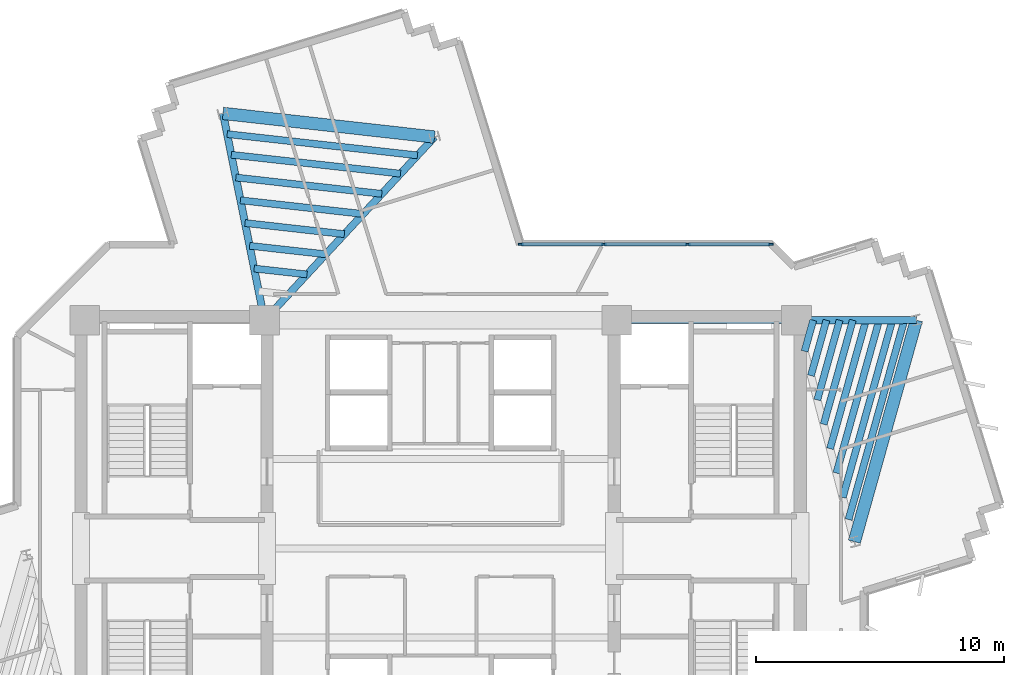
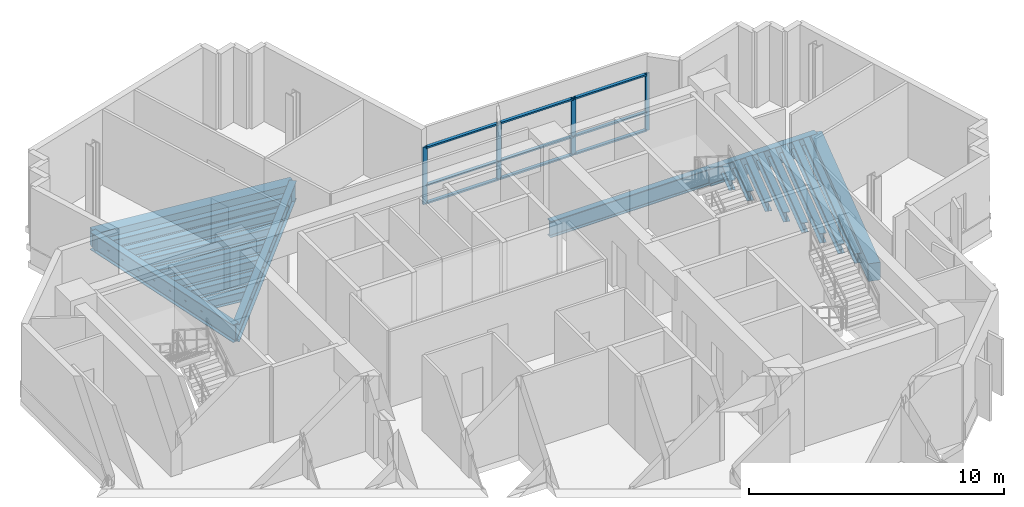
# One storey, part 3 of 13: 21 beams, 13 members, 1 element without a shape of its own.
"""IFC4 building model written with IfcOpenShell, lengths in metres."""

from ifc_helpers import new_model, si_unit, direction, frame, origin, origin_2d, place, context, subcontext, project, spatial, rectangle, i_section, extrude, source, transform, mapped, material, layer, layer_set, material_profile, profile_set, type_object, element, aggregate, save


model = new_model("IFC4")

# Units and contexts
model_context = context("Model", 3, precision=1e-05, world=origin(), true_north=direction((0.0, 1.0)))
body_context = subcontext(model_context, "Body", "Model", "MODEL_VIEW")
ifc_project = project(units=[si_unit("LENGTHUNIT", "METRE"), si_unit("AREAUNIT", "SQUARE_METRE"), si_unit("VOLUMEUNIT", "CUBIC_METRE"), si_unit("PLANEANGLEUNIT", "RADIAN"), si_unit("MASSUNIT", "GRAM", prefix="KILO")], contexts=[model_context])

# Site, building, storey
site_placement = place(None, origin())
site = spatial("IfcSite", under=ifc_project, at=site_placement, CompositionType="ELEMENT")
building_placement = place(site_placement, origin())
building = spatial("IfcBuilding", under=site, at=building_placement, Name="Zahravan Cultural Tower", CompositionType="ELEMENT")
storey_placement = place(building_placement, frame((0.0, 0.0, 217.5)))
storey = spatial("IfcBuildingStorey", under=building, at=storey_placement, Name="L51", CompositionType="ELEMENT", Elevation=217.5)

# Beams
ifc_material_1 = material(Name="Steel ASTM A992 Grade 50", Category="steel")
ifc_material_profile_1 = material_profile(ifc_material_1, i_section(OverallWidth=0.26611328125, OverallDepth=0.780029296875, WebThickness=0.0166015625, FlangeThickness=0.030029296875, FilletRadius=0.01904296875, at=origin_2d()), Name="W30X148")
ifc_profile_set_1 = profile_set([ifc_material_profile_1], Name="Steel ASTM A992 Grade 50")
beam_type_1 = type_object("IfcBeamType", Name="BM-G-W30X148", PredefinedType="BEAM", material=ifc_profile_set_1)
shared_shape_1 = source(origin(), body_context, "Body", "SweptSolid", [
    extrude(i_section(OverallWidth=0.26611328125, OverallDepth=0.780029296875, WebThickness=0.0166015625, FlangeThickness=0.030029296875, FilletRadius=0.01904296875, at=origin_2d()), origin(), (0.0, 0.0, 1.0), 7.25),
])
beam_1_placement = place(storey_placement, frame((43.10009765625, 36.199951171875, -0.669921875), z_axis=(1.0, 0.0, 0.0), x_axis=(0.0, 1.0, 0.0)))
element("IfcBeam", 1, at=beam_1_placement, inside=storey, type_object=beam_type_1, Name="L51 Beam BG-L51-05", PredefinedType="BEAM", context=body_context, shape_type="MappedRepresentation", body=[
    mapped(shared_shape_1, transform((0.0, 0.0, 0.0), x_axis=(1.0, 0.0, 0.0), y_axis=(0.0, 1.0, 0.0), z_axis=(0.0, 0.0, 1.0), scale=1.0)),
])
ifc_material_2 = material(Name="Concrete C50/60", Category="concrete")
ifc_material_profile_2 = material_profile(ifc_material_2, rectangle(XDim=0.5, YDim=0.85009765625, at=origin_2d()), Name="RC500X850")
ifc_profile_set_2 = profile_set([ifc_material_profile_2], Name="Concrete C50/60")
beam_type_2 = type_object("IfcBeamType", Name="BM-SP-RC500X850", PredefinedType="SPANDREL", material=ifc_profile_set_2)
shared_shape_2 = source(origin(), body_context, "Body", "SweptSolid", [
    extrude(rectangle(XDim=0.5, YDim=0.85009765625, at=origin_2d()), origin(), (0.0, 0.0, 1.0), 9.2783203125),
])
beam_2_placement = place(storey_placement, frame((52.684326171875, 27.27099609375, -0.705078125), z_axis=(0.269497187032, 0.963001176625, 0.0), x_axis=(-0.963001176625, 0.269497187032, 0.0)))
element("IfcBeam", 2, at=beam_2_placement, inside=storey, type_object=beam_type_2, Name="L51 Beam SP-L51-17", PredefinedType="SPANDREL", context=body_context, shape_type="MappedRepresentation", body=[
    mapped(shared_shape_2, transform((0.0, 0.0, 0.0), x_axis=(1.0, 0.0, 0.0), y_axis=(0.0, 1.0, 0.0), z_axis=(0.0, 0.0, 1.0), scale=1.0)),
])
shared_shape_3 = source(origin(), body_context, "Body", "SweptSolid", [
    extrude(rectangle(XDim=0.5, YDim=0.85009765625, at=origin_2d()), origin(), (0.0, 0.0, 1.0), 8.579833984375),
])
beam_3_placement = place(storey_placement, frame((35.754638671875, 43.587646484375, -0.705078125), z_axis=(-0.9938040105, 0.11114669907, 0.0), x_axis=(-0.11114669907, -0.9938040105, 0.0)))
element("IfcBeam", 3, at=beam_3_placement, inside=storey, type_object=beam_type_2, Name="L51 Beam SP-L51-18", PredefinedType="SPANDREL", context=body_context, shape_type="MappedRepresentation", body=[
    mapped(shared_shape_3, transform((0.0, 0.0, 0.0), x_axis=(1.0, 0.0, 0.0), y_axis=(0.0, 1.0, 0.0), z_axis=(0.0, 0.0, 1.0), scale=1.0)),
])
ifc_material_profile_3 = material_profile(ifc_material_1, i_section(OverallWidth=0.29296875, OverallDepth=0.845947265625, WebThickness=0.015380859375, FlangeThickness=0.0244140625, FilletRadius=0.02001953125, at=origin_2d()), Name="W33X141")
ifc_profile_set_3 = profile_set([ifc_material_profile_3], Name="Steel ASTM A992 Grade 50")
beam_type_3 = type_object("IfcBeamType", Name="BM-G-W33X141", PredefinedType="BEAM", material=ifc_profile_set_3)
shared_shape_4 = source(origin(), body_context, "Body", "SweptSolid", [
    extrude(i_section(OverallWidth=0.29296875, OverallDepth=0.845947265625, WebThickness=0.015380859375, FlangeThickness=0.0244140625, FilletRadius=0.02001953125, at=origin_2d()), origin(), (0.0, 0.0, 1.0), 4.834716796875),
])
beam_4_placement = place(storey_placement, frame((50.35009765625, 36.199951171875, -0.702880859375), z_axis=(0.99999920313, 0.001262433979, 0.0), x_axis=(-0.001262433979, 0.99999920313, 0.0)))
element("IfcBeam", 4, at=beam_4_placement, inside=storey, type_object=beam_type_3, Name="L51 Beam BG-L51-12", PredefinedType="BEAM", context=body_context, shape_type="MappedRepresentation", body=[
    mapped(shared_shape_4, transform((0.0, 0.0, 0.0), x_axis=(1.0, 0.0, 0.0), y_axis=(0.0, 1.0, 0.0), z_axis=(0.0, 0.0, 1.0), scale=1.0)),
])
shared_shape_5 = source(origin(), body_context, "Body", "SweptSolid", [
    extrude(i_section(OverallWidth=0.29296875, OverallDepth=0.845947265625, WebThickness=0.015380859375, FlangeThickness=0.0244140625, FilletRadius=0.02001953125, at=origin_2d()), origin(), (0.0, 0.0, 1.0), 10.077880859375),
])
beam_5_placement = place(storey_placement, frame((28.89990234375, 36.199951171875, -0.702880859375), z_axis=(0.680170435587, 0.733054007938, 0.0), x_axis=(-0.733054007938, 0.680170435587, 0.0)))
element("IfcBeam", 5, at=beam_5_placement, inside=storey, type_object=beam_type_3, Name="L51 Beam BG-L51-13", PredefinedType="BEAM", context=body_context, shape_type="MappedRepresentation", body=[
    mapped(shared_shape_5, transform((0.0, 0.0, 0.0), x_axis=(1.0, 0.0, 0.0), y_axis=(0.0, 1.0, 0.0), z_axis=(0.0, 0.0, 1.0), scale=1.0)),
])
shared_shape_6 = source(origin(), body_context, "Body", "SweptSolid", [
    extrude(i_section(OverallWidth=0.29296875, OverallDepth=0.845947265625, WebThickness=0.015380859375, FlangeThickness=0.0244140625, FilletRadius=0.02001953125, at=origin_2d()), origin(), (0.0, 0.0, 1.0), 8.50732421875),
])
beam_6_placement = place(storey_placement, frame((28.89990234375, 36.199951171875, -0.702880859375), z_axis=(-0.196524514012, 0.980498911469, 0.0), x_axis=(-0.980498911469, -0.196524514012, 0.0)))
element("IfcBeam", 6, at=beam_6_placement, inside=storey, type_object=beam_type_3, Name="L51 Beam BG-L51-14", PredefinedType="BEAM", context=body_context, shape_type="MappedRepresentation", body=[
    mapped(shared_shape_6, transform((0.0, 0.0, 0.0), x_axis=(1.0, 0.0, 0.0), y_axis=(0.0, 1.0, 0.0), z_axis=(0.0, 0.0, 1.0), scale=1.0)),
])
ifc_material_profile_4 = material_profile(ifc_material_1, i_section(OverallWidth=0.280029296875, OverallDepth=0.462890625, WebThickness=0.0107421875, FlangeThickness=0.017333984375, FilletRadius=0.012939453125, at=origin_2d()), Name="W18X76")
ifc_profile_set_4 = profile_set([ifc_material_profile_4], Name="Steel ASTM A992 Grade 50")
beam_type_4 = type_object("IfcBeamType", Name="BM-J-W18X76", PredefinedType="JOIST", material=ifc_profile_set_4)
shared_shape_7 = source(origin(), body_context, "Body", "SweptSolid", [
    extrude(i_section(OverallWidth=0.280029296875, OverallDepth=0.462890625, WebThickness=0.0107421875, FlangeThickness=0.017333984375, FilletRadius=0.012939453125, at=origin_2d()), origin(), (0.0, 0.0, 1.0), 1.299072265625),
])
beam_7_placement = place(storey_placement, frame((50.6767578125, 34.949951171875, -0.511474609375), z_axis=(0.269504444708, 0.962999145525, 0.0), x_axis=(-0.962999145525, 0.269504444708, 0.0)))
element("IfcBeam", 7, at=beam_7_placement, inside=storey, type_object=beam_type_4, Name="L51 Beam BJ-L51-38", PredefinedType="JOIST", context=body_context, shape_type="MappedRepresentation", body=[
    mapped(shared_shape_7, transform((0.0, 0.0, 0.0), x_axis=(1.0, 0.0, 0.0), y_axis=(0.0, 1.0, 0.0), z_axis=(0.0, 0.0, 1.0), scale=1.0)),
])
shared_shape_8 = source(origin(), body_context, "Body", "SweptSolid", [
    extrude(i_section(OverallWidth=0.280029296875, OverallDepth=0.462890625, WebThickness=0.0107421875, FlangeThickness=0.017333984375, FilletRadius=0.012939453125, at=origin_2d()), origin(), (0.0, 0.0, 1.0), 2.3193359375),
])
beam_8_placement = place(storey_placement, frame((50.93359375, 33.9677734375, -0.511474609375), z_axis=(0.269462038626, 0.963011012263, 0.0), x_axis=(-0.963011012263, 0.269462038626, 0.0)))
element("IfcBeam", 8, at=beam_8_placement, inside=storey, type_object=beam_type_4, Name="L51 Beam BJ-L51-39", PredefinedType="JOIST", context=body_context, shape_type="MappedRepresentation", body=[
    mapped(shared_shape_8, transform((0.0, 0.0, 0.0), x_axis=(1.0, 0.0, 0.0), y_axis=(0.0, 1.0, 0.0), z_axis=(0.0, 0.0, 1.0), scale=1.0)),
])
shared_shape_9 = source(origin(), body_context, "Body", "SweptSolid", [
    extrude(i_section(OverallWidth=0.280029296875, OverallDepth=0.462890625, WebThickness=0.0107421875, FlangeThickness=0.017333984375, FilletRadius=0.012939453125, at=origin_2d()), origin(), (0.0, 0.0, 1.0), 3.340087890625),
])
beam_9_placement = place(storey_placement, frame((51.190185546875, 32.985595703125, -0.511474609375), z_axis=(0.269562146951, 0.962982995141, 0.0), x_axis=(-0.962982995141, 0.269562146951, 0.0)))
element("IfcBeam", 9, at=beam_9_placement, inside=storey, type_object=beam_type_4, Name="L51 Beam BJ-L51-40", PredefinedType="JOIST", context=body_context, shape_type="MappedRepresentation", body=[
    mapped(shared_shape_9, transform((0.0, 0.0, 0.0), x_axis=(1.0, 0.0, 0.0), y_axis=(0.0, 1.0, 0.0), z_axis=(0.0, 0.0, 1.0), scale=1.0)),
])
shared_shape_10 = source(origin(), body_context, "Body", "SweptSolid", [
    extrude(i_section(OverallWidth=0.280029296875, OverallDepth=0.462890625, WebThickness=0.0107421875, FlangeThickness=0.017333984375, FilletRadius=0.012939453125, at=origin_2d()), origin(), (0.0, 0.0, 1.0), 4.36083984375),
])
beam_10_placement = place(storey_placement, frame((51.447021484375, 32.00341796875, -0.511474609375), z_axis=(0.269511557673, 0.962997154866, 0.0), x_axis=(-0.962997154866, 0.269511557673, 0.0)))
element("IfcBeam", 10, at=beam_10_placement, inside=storey, type_object=beam_type_4, Name="L51 Beam BJ-L51-41", PredefinedType="JOIST", context=body_context, shape_type="MappedRepresentation", body=[
    mapped(shared_shape_10, transform((0.0, 0.0, 0.0), x_axis=(1.0, 0.0, 0.0), y_axis=(0.0, 1.0, 0.0), z_axis=(0.0, 0.0, 1.0), scale=1.0)),
])
shared_shape_11 = source(origin(), body_context, "Body", "SweptSolid", [
    extrude(i_section(OverallWidth=0.280029296875, OverallDepth=0.462890625, WebThickness=0.0107421875, FlangeThickness=0.017333984375, FilletRadius=0.012939453125, at=origin_2d()), origin(), (0.0, 0.0, 1.0), 5.3818359375),
])
beam_11_placement = place(storey_placement, frame((51.703857421875, 31.02099609375, -0.511474609375), z_axis=(0.269510454638, 0.962997463569, 0.0), x_axis=(-0.962997463569, 0.269510454638, 0.0)))
element("IfcBeam", 11, at=beam_11_placement, inside=storey, type_object=beam_type_4, Name="L51 Beam BJ-L51-42", PredefinedType="JOIST", context=body_context, shape_type="MappedRepresentation", body=[
    mapped(shared_shape_11, transform((0.0, 0.0, 0.0), x_axis=(1.0, 0.0, 0.0), y_axis=(0.0, 1.0, 0.0), z_axis=(0.0, 0.0, 1.0), scale=1.0)),
])
shared_shape_12 = source(origin(), body_context, "Body", "SweptSolid", [
    extrude(i_section(OverallWidth=0.280029296875, OverallDepth=0.462890625, WebThickness=0.0107421875, FlangeThickness=0.017333984375, FilletRadius=0.012939453125, at=origin_2d()), origin(), (0.0, 0.0, 1.0), 6.402099609375),
])
beam_12_placement = place(storey_placement, frame((51.960693359375, 30.038818359375, -0.511474609375), z_axis=(0.269494133533, 0.963002031146, 0.0), x_axis=(-0.963002031146, 0.269494133533, 0.0)))
element("IfcBeam", 12, at=beam_12_placement, inside=storey, type_object=beam_type_4, Name="L51 Beam BJ-L51-43", PredefinedType="JOIST", context=body_context, shape_type="MappedRepresentation", body=[
    mapped(shared_shape_12, transform((0.0, 0.0, 0.0), x_axis=(1.0, 0.0, 0.0), y_axis=(0.0, 1.0, 0.0), z_axis=(0.0, 0.0, 1.0), scale=1.0)),
])
shared_shape_13 = source(origin(), body_context, "Body", "SweptSolid", [
    extrude(i_section(OverallWidth=0.280029296875, OverallDepth=0.462890625, WebThickness=0.0107421875, FlangeThickness=0.017333984375, FilletRadius=0.012939453125, at=origin_2d()), origin(), (0.0, 0.0, 1.0), 7.4228515625),
])
beam_13_placement = place(storey_placement, frame((52.21728515625, 29.056640625, -0.511474609375), z_axis=(0.269504266128, 0.962999195503, 0.0), x_axis=(-0.962999195503, 0.269504266128, 0.0)))
element("IfcBeam", 13, at=beam_13_placement, inside=storey, type_object=beam_type_4, Name="L51 Beam BJ-L51-44", PredefinedType="JOIST", context=body_context, shape_type="MappedRepresentation", body=[
    mapped(shared_shape_13, transform((0.0, 0.0, 0.0), x_axis=(1.0, 0.0, 0.0), y_axis=(0.0, 1.0, 0.0), z_axis=(0.0, 0.0, 1.0), scale=1.0)),
])
shared_shape_14 = source(origin(), body_context, "Body", "SweptSolid", [
    extrude(i_section(OverallWidth=0.280029296875, OverallDepth=0.462890625, WebThickness=0.0107421875, FlangeThickness=0.017333984375, FilletRadius=0.012939453125, at=origin_2d()), origin(), (0.0, 0.0, 1.0), 8.350830078125),
])
beam_14_placement = place(storey_placement, frame((52.450927734375, 28.163818359375, -0.511474609375), z_axis=(0.269496539555, 0.963001357822, 0.0), x_axis=(-0.963001357822, 0.269496539555, 0.0)))
element("IfcBeam", 14, at=beam_14_placement, inside=storey, type_object=beam_type_4, Name="L51 Beam BJ-L51-45", PredefinedType="JOIST", context=body_context, shape_type="MappedRepresentation", body=[
    mapped(shared_shape_14, transform((0.0, 0.0, 0.0), x_axis=(1.0, 0.0, 0.0), y_axis=(0.0, 1.0, 0.0), z_axis=(0.0, 0.0, 1.0), scale=1.0)),
])
shared_shape_15 = source(origin(), body_context, "Body", "SweptSolid", [
    extrude(i_section(OverallWidth=0.280029296875, OverallDepth=0.462890625, WebThickness=0.0107421875, FlangeThickness=0.017333984375, FilletRadius=0.012939453125, at=origin_2d()), origin(), (0.0, 0.0, 1.0), 2.144775390625),
])
beam_15_placement = place(storey_placement, frame((30.613525390625, 38.046875, -0.511474609375), z_axis=(-0.993797370806, 0.111206051, 0.0), x_axis=(-0.111206051, -0.993797370806, 0.0)))
element("IfcBeam", 15, at=beam_15_placement, inside=storey, type_object=beam_type_4, Name="L51 Beam BJ-L51-47", PredefinedType="JOIST", context=body_context, shape_type="MappedRepresentation", body=[
    mapped(shared_shape_15, transform((0.0, 0.0, 0.0), x_axis=(1.0, 0.0, 0.0), y_axis=(0.0, 1.0, 0.0), z_axis=(0.0, 0.0, 1.0), scale=1.0)),
])
shared_shape_16 = source(origin(), body_context, "Body", "SweptSolid", [
    extrude(i_section(OverallWidth=0.280029296875, OverallDepth=0.462890625, WebThickness=0.0107421875, FlangeThickness=0.017333984375, FilletRadius=0.012939453125, at=origin_2d()), origin(), (0.0, 0.0, 1.0), 3.088623046875),
])
beam_16_placement = place(storey_placement, frame((31.36767578125, 38.859619140625, -0.511474609375), z_axis=(-0.993805407368, 0.111134208443, 0.0), x_axis=(-0.111134208443, -0.993805407368, 0.0)))
element("IfcBeam", 16, at=beam_16_placement, inside=storey, type_object=beam_type_4, Name="L51 Beam BJ-L51-48", PredefinedType="JOIST", context=body_context, shape_type="MappedRepresentation", body=[
    mapped(shared_shape_16, transform((0.0, 0.0, 0.0), x_axis=(1.0, 0.0, 0.0), y_axis=(0.0, 1.0, 0.0), z_axis=(0.0, 0.0, 1.0), scale=1.0)),
])
shared_shape_17 = source(origin(), body_context, "Body", "SweptSolid", [
    extrude(i_section(OverallWidth=0.280029296875, OverallDepth=0.462890625, WebThickness=0.0107421875, FlangeThickness=0.017333984375, FilletRadius=0.012939453125, at=origin_2d()), origin(), (0.0, 0.0, 1.0), 4.0322265625),
])
beam_17_placement = place(storey_placement, frame((32.12158203125, 39.672119140625, -0.511474609375), z_axis=(-0.993802245601, 0.11116247855, 0.0), x_axis=(-0.11116247855, -0.993802245601, 0.0)))
element("IfcBeam", 17, at=beam_17_placement, inside=storey, type_object=beam_type_4, Name="L51 Beam BJ-L51-49", PredefinedType="JOIST", context=body_context, shape_type="MappedRepresentation", body=[
    mapped(shared_shape_17, transform((0.0, 0.0, 0.0), x_axis=(1.0, 0.0, 0.0), y_axis=(0.0, 1.0, 0.0), z_axis=(0.0, 0.0, 1.0), scale=1.0)),
])
shared_shape_18 = source(origin(), body_context, "Body", "SweptSolid", [
    extrude(i_section(OverallWidth=0.280029296875, OverallDepth=0.462890625, WebThickness=0.0107421875, FlangeThickness=0.017333984375, FilletRadius=0.012939453125, at=origin_2d()), origin(), (0.0, 0.0, 1.0), 4.97607421875),
])
beam_18_placement = place(storey_placement, frame((32.875732421875, 40.48486328125, -0.511474609375), z_axis=(-0.993806308517, 0.111126149723, 0.0), x_axis=(-0.111126149723, -0.993806308517, 0.0)))
element("IfcBeam", 18, at=beam_18_placement, inside=storey, type_object=beam_type_4, Name="L51 Beam BJ-L51-50", PredefinedType="JOIST", context=body_context, shape_type="MappedRepresentation", body=[
    mapped(shared_shape_18, transform((0.0, 0.0, 0.0), x_axis=(1.0, 0.0, 0.0), y_axis=(0.0, 1.0, 0.0), z_axis=(0.0, 0.0, 1.0), scale=1.0)),
])
shared_shape_19 = source(origin(), body_context, "Body", "SweptSolid", [
    extrude(i_section(OverallWidth=0.280029296875, OverallDepth=0.462890625, WebThickness=0.0107421875, FlangeThickness=0.017333984375, FilletRadius=0.012939453125, at=origin_2d()), origin(), (0.0, 0.0, 1.0), 5.919921875),
])
beam_19_placement = place(storey_placement, frame((33.629638671875, 41.29736328125, -0.511474609375), z_axis=(-0.993804520866, 0.111142135602, 0.0), x_axis=(-0.111142135602, -0.993804520866, 0.0)))
element("IfcBeam", 19, at=beam_19_placement, inside=storey, type_object=beam_type_4, Name="L51 Beam BJ-L51-51", PredefinedType="JOIST", context=body_context, shape_type="MappedRepresentation", body=[
    mapped(shared_shape_19, transform((0.0, 0.0, 0.0), x_axis=(1.0, 0.0, 0.0), y_axis=(0.0, 1.0, 0.0), z_axis=(0.0, 0.0, 1.0), scale=1.0)),
])
shared_shape_20 = source(origin(), body_context, "Body", "SweptSolid", [
    extrude(i_section(OverallWidth=0.280029296875, OverallDepth=0.462890625, WebThickness=0.0107421875, FlangeThickness=0.017333984375, FilletRadius=0.012939453125, at=origin_2d()), origin(), (0.0, 0.0, 1.0), 6.86376953125),
])
beam_20_placement = place(storey_placement, frame((34.3837890625, 42.110107421875, -0.511474609375), z_axis=(-0.993803224695, 0.111153725024, 0.0), x_axis=(-0.111153725024, -0.993803224695, 0.0)))
element("IfcBeam", 20, at=beam_20_placement, inside=storey, type_object=beam_type_4, Name="L51 Beam BJ-L51-52", PredefinedType="JOIST", context=body_context, shape_type="MappedRepresentation", body=[
    mapped(shared_shape_20, transform((0.0, 0.0, 0.0), x_axis=(1.0, 0.0, 0.0), y_axis=(0.0, 1.0, 0.0), z_axis=(0.0, 0.0, 1.0), scale=1.0)),
])
shared_shape_21 = source(origin(), body_context, "Body", "SweptSolid", [
    extrude(i_section(OverallWidth=0.280029296875, OverallDepth=0.462890625, WebThickness=0.0107421875, FlangeThickness=0.017333984375, FilletRadius=0.012939453125, at=origin_2d()), origin(), (0.0, 0.0, 1.0), 7.7216796875),
])
beam_21_placement = place(storey_placement, frame((35.069091796875, 42.848876953125, -0.511474609375), z_axis=(-0.993805212115, 0.11113595446, 0.0), x_axis=(-0.11113595446, -0.993805212115, 0.0)))
element("IfcBeam", 21, at=beam_21_placement, inside=storey, type_object=beam_type_4, Name="L51 Beam BJ-L51-53", PredefinedType="JOIST", context=body_context, shape_type="MappedRepresentation", body=[
    mapped(shared_shape_21, transform((0.0, 0.0, 0.0), x_axis=(1.0, 0.0, 0.0), y_axis=(0.0, 1.0, 0.0), z_axis=(0.0, 0.0, 1.0), scale=1.0)),
])

# Curtain wall, members
ifc_material_3 = material(Name="Anodised bronze-aluminium mullion", Category="aluminium")
ifc_layer = layer(ifc_material_3, 0.199951171875)
ifc_layer_set = layer_set([ifc_layer], Name="Anodised bronze-aluminium mullion")
curtain_wall_type = type_object("IfcCurtainWallType", Name="CW-SYS-2", PredefinedType="USERDEFINED", material=ifc_layer_set)
curtain_wall_placement = place(storey_placement, origin())
curtain_wall = element("IfcCurtainWall", 22, at=curtain_wall_placement, inside=storey, type_object=curtain_wall_type, Name="L51 Recessed Curtain Wall CW-2.2", ObjectType="RECESSED GLAZING", PredefinedType="USERDEFINED")
ifc_material_profile_5 = material_profile(ifc_material_3, rectangle(XDim=0.074951171875, YDim=0.199951171875, at=origin_2d()), Name="AL-M75X200")
ifc_profile_set_5 = profile_set([ifc_material_profile_5], Name="Anodised bronze-aluminium mullion")
member_type_1 = type_object("IfcMemberType", Name="CWM-CW-2", PredefinedType="MULLION", material=ifc_profile_set_5)
shared_shape_22 = source(origin(), body_context, "Body", "SweptSolid", [
    extrude(rectangle(XDim=0.074951171875, YDim=0.199951171875, at=origin_2d()), origin(), (0.0, 0.0, 1.0), 2.739990234375),
])
member_1_placement = place(storey_placement, frame((39.23388671875, 39.260009765625, 0.0), z_axis=(0.0, 0.0, 1.0), x_axis=(0.0, 1.0, 0.0)))
member_1 = element("IfcMember", 23, at=member_1_placement, type_object=member_type_1, Name="CW-2 mullion 1", PredefinedType="MULLION", context=body_context, shape_type="MappedRepresentation", body=[
    mapped(shared_shape_22, transform((0.0, 0.0, 0.0), x_axis=(1.0, 0.0, 0.0), y_axis=(0.0, 1.0, 0.0), z_axis=(0.0, 0.0, 1.0), scale=1.0)),
])
member_2_placement = place(storey_placement, frame((42.578369140625, 39.260009765625, 0.0), z_axis=(0.0, 0.0, 1.0), x_axis=(0.0, 1.0, 0.0)))
member_2 = element("IfcMember", 24, at=member_2_placement, type_object=member_type_1, Name="CW-2 mullion 2", PredefinedType="MULLION", context=body_context, shape_type="MappedRepresentation", body=[
    mapped(shared_shape_22, transform((0.0, 0.0, 0.0), x_axis=(1.0, 0.0, 0.0), y_axis=(0.0, 1.0, 0.0), z_axis=(0.0, 0.0, 1.0), scale=1.0)),
])
member_3_placement = place(storey_placement, frame((45.960205078125, 39.260009765625, 0.0), z_axis=(0.0, 0.0, 1.0), x_axis=(0.0, 1.0, 0.0)))
member_3 = element("IfcMember", 25, at=member_3_placement, type_object=member_type_1, Name="CW-2 mullion 3", PredefinedType="MULLION", context=body_context, shape_type="MappedRepresentation", body=[
    mapped(shared_shape_22, transform((0.0, 0.0, 0.0), x_axis=(1.0, 0.0, 0.0), y_axis=(0.0, 1.0, 0.0), z_axis=(0.0, 0.0, 1.0), scale=1.0)),
])
member_4_placement = place(storey_placement, frame((49.304443359375, 39.260009765625, 0.0), z_axis=(0.0, 0.0, 1.0), x_axis=(0.0, 1.0, 0.0)))
member_4 = element("IfcMember", 26, at=member_4_placement, type_object=member_type_1, Name="CW-2 mullion 4", PredefinedType="MULLION", context=body_context, shape_type="MappedRepresentation", body=[
    mapped(shared_shape_22, transform((0.0, 0.0, 0.0), x_axis=(1.0, 0.0, 0.0), y_axis=(0.0, 1.0, 0.0), z_axis=(0.0, 0.0, 1.0), scale=1.0)),
])
ifc_material_profile_6 = material_profile(ifc_material_3, rectangle(XDim=0.14990234375, YDim=0.074951171875, at=origin_2d()), Name="AL-T75X150")
ifc_profile_set_6 = profile_set([ifc_material_profile_6], Name="Anodised bronze-aluminium mullion")
member_type_2 = type_object("IfcMemberType", Name="CWT-CW-2", PredefinedType="USERDEFINED", material=ifc_profile_set_6)
shared_shape_23 = source(origin(), body_context, "Body", "SweptSolid", [
    extrude(rectangle(XDim=0.14990234375, YDim=0.074951171875, at=origin_2d()), origin(), (0.0, 0.0, 1.0), 3.269287109375),
])
member_5_placement = place(storey_placement, frame((39.271484375, 39.260009765625, 0.03759765625), z_axis=(1.0, 0.0, 0.0), x_axis=(0.0, 1.0, 0.0)))
member_5 = element("IfcMember", 27, at=member_5_placement, type_object=member_type_2, Name="CW-2 transom 1.1", ObjectType="TRANSOM", PredefinedType="USERDEFINED", context=body_context, shape_type="MappedRepresentation", body=[
    mapped(shared_shape_23, transform((0.0, 0.0, 0.0), x_axis=(1.0, 0.0, 0.0), y_axis=(0.0, 1.0, 0.0), z_axis=(0.0, 0.0, 1.0), scale=1.0)),
])
member_6_placement = place(storey_placement, frame((39.271484375, 39.260009765625, 0.89990234375), z_axis=(1.0, 0.0, 0.0), x_axis=(0.0, 1.0, 0.0)))
member_6 = element("IfcMember", 28, at=member_6_placement, type_object=member_type_2, Name="CW-2 transom 1.2", ObjectType="TRANSOM", PredefinedType="USERDEFINED", context=body_context, shape_type="MappedRepresentation", body=[
    mapped(shared_shape_23, transform((0.0, 0.0, 0.0), x_axis=(1.0, 0.0, 0.0), y_axis=(0.0, 1.0, 0.0), z_axis=(0.0, 0.0, 1.0), scale=1.0)),
])
member_7_placement = place(storey_placement, frame((39.271484375, 39.260009765625, 2.702392578125), z_axis=(1.0, 0.0, 0.0), x_axis=(0.0, 1.0, 0.0)))
member_7 = element("IfcMember", 29, at=member_7_placement, type_object=member_type_2, Name="CW-2 transom 1.3", ObjectType="TRANSOM", PredefinedType="USERDEFINED", context=body_context, shape_type="MappedRepresentation", body=[
    mapped(shared_shape_23, transform((0.0, 0.0, 0.0), x_axis=(1.0, 0.0, 0.0), y_axis=(0.0, 1.0, 0.0), z_axis=(0.0, 0.0, 1.0), scale=1.0)),
])
shared_shape_24 = source(origin(), body_context, "Body", "SweptSolid", [
    extrude(rectangle(XDim=0.14990234375, YDim=0.074951171875, at=origin_2d()), origin(), (0.0, 0.0, 1.0), 3.306884765625),
])
member_8_placement = place(storey_placement, frame((42.61572265625, 39.260009765625, 0.03759765625), z_axis=(1.0, 0.0, 0.0), x_axis=(0.0, 1.0, 0.0)))
member_8 = element("IfcMember", 30, at=member_8_placement, type_object=member_type_2, Name="CW-2 transom 2.1", ObjectType="TRANSOM", PredefinedType="USERDEFINED", context=body_context, shape_type="MappedRepresentation", body=[
    mapped(shared_shape_24, transform((0.0, 0.0, 0.0), x_axis=(1.0, 0.0, 0.0), y_axis=(0.0, 1.0, 0.0), z_axis=(0.0, 0.0, 1.0), scale=1.0)),
])
member_9_placement = place(storey_placement, frame((42.61572265625, 39.260009765625, 0.89990234375), z_axis=(1.0, 0.0, 0.0), x_axis=(0.0, 1.0, 0.0)))
member_9 = element("IfcMember", 31, at=member_9_placement, type_object=member_type_2, Name="CW-2 transom 2.2", ObjectType="TRANSOM", PredefinedType="USERDEFINED", context=body_context, shape_type="MappedRepresentation", body=[
    mapped(shared_shape_24, transform((0.0, 0.0, 0.0), x_axis=(1.0, 0.0, 0.0), y_axis=(0.0, 1.0, 0.0), z_axis=(0.0, 0.0, 1.0), scale=1.0)),
])
member_10_placement = place(storey_placement, frame((42.61572265625, 39.260009765625, 2.702392578125), z_axis=(1.0, 0.0, 0.0), x_axis=(0.0, 1.0, 0.0)))
member_10 = element("IfcMember", 32, at=member_10_placement, type_object=member_type_2, Name="CW-2 transom 2.3", ObjectType="TRANSOM", PredefinedType="USERDEFINED", context=body_context, shape_type="MappedRepresentation", body=[
    mapped(shared_shape_24, transform((0.0, 0.0, 0.0), x_axis=(1.0, 0.0, 0.0), y_axis=(0.0, 1.0, 0.0), z_axis=(0.0, 0.0, 1.0), scale=1.0)),
])
shared_shape_25 = source(origin(), body_context, "Body", "SweptSolid", [
    extrude(rectangle(XDim=0.14990234375, YDim=0.074951171875, at=origin_2d()), origin(), (0.0, 0.0, 1.0), 3.26953125),
])
member_11_placement = place(storey_placement, frame((45.99755859375, 39.260009765625, 0.03759765625), z_axis=(1.0, 0.0, 0.0), x_axis=(0.0, 1.0, 0.0)))
member_11 = element("IfcMember", 33, at=member_11_placement, type_object=member_type_2, Name="CW-2 transom 3.1", ObjectType="TRANSOM", PredefinedType="USERDEFINED", context=body_context, shape_type="MappedRepresentation", body=[
    mapped(shared_shape_25, transform((0.0, 0.0, 0.0), x_axis=(1.0, 0.0, 0.0), y_axis=(0.0, 1.0, 0.0), z_axis=(0.0, 0.0, 1.0), scale=1.0)),
])
member_12_placement = place(storey_placement, frame((45.99755859375, 39.260009765625, 0.89990234375), z_axis=(1.0, 0.0, 0.0), x_axis=(0.0, 1.0, 0.0)))
member_12 = element("IfcMember", 34, at=member_12_placement, type_object=member_type_2, Name="CW-2 transom 3.2", ObjectType="TRANSOM", PredefinedType="USERDEFINED", context=body_context, shape_type="MappedRepresentation", body=[
    mapped(shared_shape_25, transform((0.0, 0.0, 0.0), x_axis=(1.0, 0.0, 0.0), y_axis=(0.0, 1.0, 0.0), z_axis=(0.0, 0.0, 1.0), scale=1.0)),
])
member_13_placement = place(storey_placement, frame((45.99755859375, 39.260009765625, 2.702392578125), z_axis=(1.0, 0.0, 0.0), x_axis=(0.0, 1.0, 0.0)))
member_13 = element("IfcMember", 35, at=member_13_placement, type_object=member_type_2, Name="CW-2 transom 3.3", ObjectType="TRANSOM", PredefinedType="USERDEFINED", context=body_context, shape_type="MappedRepresentation", body=[
    mapped(shared_shape_25, transform((0.0, 0.0, 0.0), x_axis=(1.0, 0.0, 0.0), y_axis=(0.0, 1.0, 0.0), z_axis=(0.0, 0.0, 1.0), scale=1.0)),
])
aggregate(curtain_wall, [member_1, member_2, member_3, member_4, member_5, member_6, member_7, member_8, member_9, member_10, member_11, member_12, member_13])

save(model, "model.ifc")
